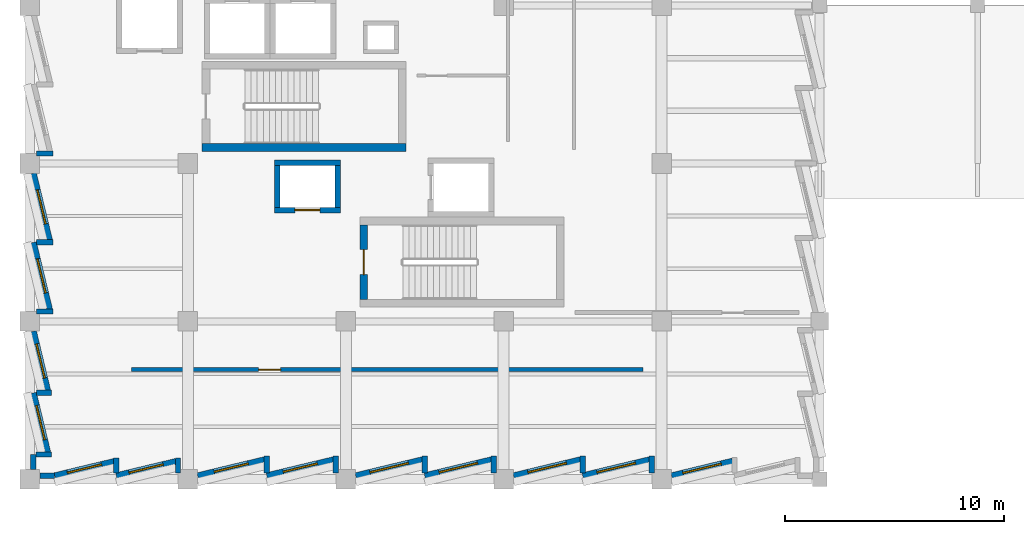
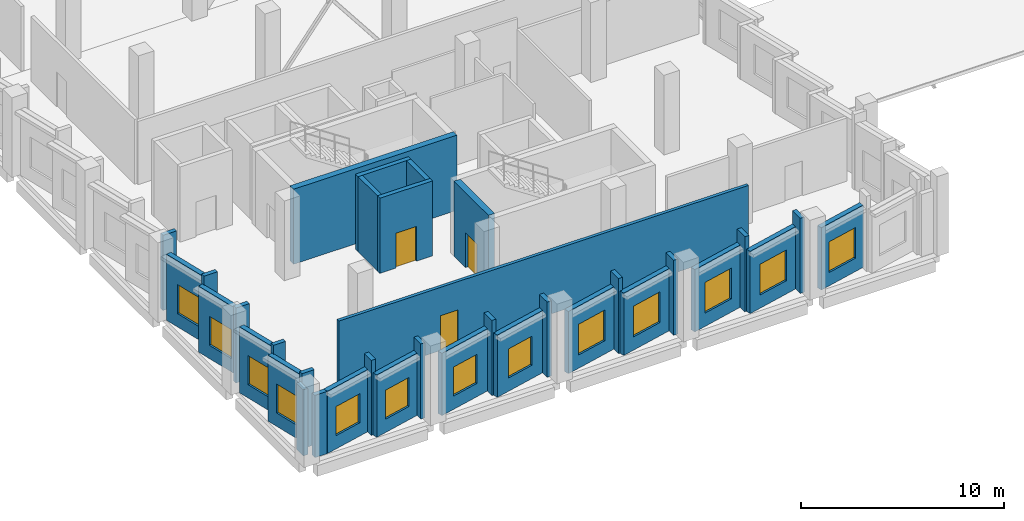
# One storey, part 91 of 127: 35 walls, 13 windows, 3 doors, 16 openings.
"""IFC4 building model written with IfcOpenShell, lengths in metres."""

from ifc_helpers import new_model, si_unit, direction, frame, frame_2d, origin, place, context, subcontext, project, spatial, rectangle, extrude, material, layer, layer_set, type_object, element, fill, save


model = new_model("IFC4")

# Units and contexts
model_context = context("Model", 3, precision=1e-05, world=origin(), true_north=direction((0.0, 1.0)))
body_context = subcontext(model_context, "Body", "Model", "MODEL_VIEW")
ifc_project = project(units=[si_unit("LENGTHUNIT", "METRE"), si_unit("AREAUNIT", "SQUARE_METRE"), si_unit("VOLUMEUNIT", "CUBIC_METRE"), si_unit("PLANEANGLEUNIT", "RADIAN"), si_unit("MASSUNIT", "GRAM", prefix="KILO")], contexts=[model_context])

# Site, building, storey
site_placement = place(None, origin())
site = spatial("IfcSite", under=ifc_project, at=site_placement, CompositionType="ELEMENT")
building_placement = place(site_placement, origin())
building = spatial("IfcBuilding", under=site, at=building_placement, Name="Kalmorath City Hall", CompositionType="ELEMENT")
storey_placement = place(building_placement, frame((0.0, 0.0, 5.39990234375)))
storey = spatial("IfcBuildingStorey", under=building, at=storey_placement, Name="L01", CompositionType="ELEMENT", Elevation=5.39990234375)

# Wall
ifc_material_1 = material(Name="Concrete C50/60", Category="concrete")
ifc_layer_1 = layer(ifc_material_1, 0.35009765625)
ifc_layer_set_1 = layer_set([ifc_layer_1], Name="Concrete C50/60")
wall_type_1 = type_object("IfcWallType", Name="Concrete core shear wall 350", PredefinedType="SHEAR", material=ifc_layer_set_1)
wall_1_placement = place(storey_placement, frame((7.85009765625, 15.125, 0.0), z_axis=(0.0, 0.0, 1.0), x_axis=(1.0, 0.0, 0.0)))
element("IfcWall", 1, at=wall_1_placement, inside=storey, type_object=wall_type_1, Name="L01 C1 stair core shear wall S", PredefinedType="SHEAR", context=body_context, shape_type="SweptSolid", body=[
    extrude(rectangle(XDim=9.2998046875, YDim=0.35009765625, at=frame_2d((4.64990234375, 0.0))), origin(), (0.0, 0.0, 1.0), 4.52001953125),
])

# Wall, opening, door
wall_2_placement = place(storey_placement, frame((15.22509765625, 11.60009765625, 0.0), z_axis=(0.0, 0.0, 1.0), x_axis=(0.0, -1.0, 0.0)))
wall_2 = element("IfcWall", 2, at=wall_2_placement, inside=storey, type_object=wall_type_1, Name="L01 C2 stair core shear wall W", PredefinedType="SHEAR", context=body_context, shape_type="SweptSolid", body=[
    extrude(rectangle(XDim=3.400146484375, YDim=0.35009765625, at=frame_2d((1.7001953125, 0.0))), origin(), (0.0, 0.0, 1.0), 4.52001953125),
])
opening_1_placement = place(wall_2_placement, frame((1.125, 0.0, 0.0)))
opening_1 = element("IfcOpeningElement", 3, at=opening_1_placement, cuts=wall_2, Name="Opening D-L01-039", PredefinedType="OPENING", context=body_context, shape_type="SweptSolid", body=[
    extrude(rectangle(XDim=1.14990234375, YDim=2.10009765625, at=frame_2d((0.574951171875, 1.050048828125))), frame((0.0, 0.18505859375, 0.0), z_axis=(0.0, -1.0, 0.0), x_axis=(1.0, 0.0, 0.0)), (0.0, 0.0, 1.0), 0.3701171875),
])
ifc_material_2 = material(Name="Galvanised steel fire door", Category="steel")
door_type_1 = type_object("IfcDoorType", Name="Stair enclosure 90-min fire door 1150x2100", OperationType="NOTDEFINED", PredefinedType="DOOR", material=ifc_material_2)
door_1_placement = place(opening_1_placement, frame((1.14990234375, 0.0, 0.0), z_axis=(0.0, 0.0, 1.0), x_axis=(-1.0, 0.0, 0.0)))
door_1 = element("IfcDoor", 4, at=door_1_placement, inside=storey, type_object=door_type_1, Name="L01 door D-L01-039", OperationType="SINGLE_SWING_LEFT", OverallHeight=2.10009765625, OverallWidth=1.14990234375, PredefinedType="DOOR", context=body_context, shape_type="SweptSolid", body=[
    extrude(rectangle(XDim=1.14990234375, YDim=2.10009765625, at=frame_2d((0.574951171875, 1.050048828125))), frame((0.0, 0.02490234375, 0.0), z_axis=(0.0, -1.0, 0.0), x_axis=(1.0, 0.0, 0.0)), (0.0, 0.0, 1.0), 0.050048828125),
])
fill(opening_1, door_1)

ifc_material_3 = material(Name="Concrete C50/60", Category="concrete")
ifc_layer_2 = layer(ifc_material_3, 0.25)
ifc_layer_set_2 = layer_set([ifc_layer_2], Name="Concrete C50/60")
wall_type_2 = type_object("IfcWallType", Name="Concrete lift shaft wall 250", PredefinedType="SHEAR", material=ifc_layer_set_2)
wall_3_placement = place(storey_placement, frame((11.14990234375, 12.27490234375, 0.0), z_axis=(0.0, 0.0, 1.0), x_axis=(1.0, 0.0, 0.0)))
wall_3 = element("IfcWall", 5, at=wall_3_placement, inside=storey, type_object=wall_type_2, Name="L01 FL2 lift shaft wall -y", PredefinedType="SHEAR", context=body_context, shape_type="SweptSolid", body=[
    extrude(rectangle(XDim=3.0, YDim=0.25, at=frame_2d((1.5, 0.0))), origin(), (0.0, 0.0, 1.0), 4.52001953125),
])
opening_2_placement = place(wall_3_placement, frame((0.925048828125, 0.0, 0.0)))
opening_2 = element("IfcOpeningElement", 6, at=opening_2_placement, cuts=wall_3, Name="Opening LD-048", PredefinedType="OPENING", context=body_context, shape_type="SweptSolid", body=[
    extrude(rectangle(XDim=1.14990234375, YDim=2.10009765625, at=frame_2d((0.574951171875, 1.050048828125))), frame((0.0, 0.135009765625, 0.0), z_axis=(0.0, -1.0, 0.0), x_axis=(1.0, 0.0, 0.0)), (0.0, 0.0, 1.0), 0.27001953125),
])
ifc_material_4 = material(Name="Stainless steel sliding landing door", Category="steel")
door_type_2 = type_object("IfcDoorType", Name="Firefighting lift sliding landing door 1150x2100", OperationType="SLIDING_TO_RIGHT", PredefinedType="DOOR", material=ifc_material_4)
door_2_placement = place(opening_2_placement, origin())
door_2 = element("IfcDoor", 7, at=door_2_placement, inside=storey, type_object=door_type_2, Name="L01 door LD-048", OperationType="SLIDING_TO_RIGHT", OverallHeight=2.10009765625, OverallWidth=1.14990234375, PredefinedType="DOOR", context=body_context, shape_type="SweptSolid", body=[
    extrude(rectangle(XDim=1.14990234375, YDim=2.10009765625, at=frame_2d((0.574951171875, 1.050048828125))), frame((0.0, 0.02490234375, 0.0), z_axis=(0.0, -1.0, 0.0), x_axis=(1.0, 0.0, 0.0)), (0.0, 0.0, 1.0), 0.050048828125),
])
fill(opening_2, door_2)

# Walls
wall_4_placement = place(storey_placement, frame((14.14990234375, 14.425048828125, 0.0), z_axis=(0.0, 0.0, 1.0), x_axis=(-1.0, 0.0, 0.0)))
element("IfcWall", 8, at=wall_4_placement, inside=storey, type_object=wall_type_2, Name="L01 FL2 lift shaft wall +y", PredefinedType="SHEAR", context=body_context, shape_type="SweptSolid", body=[
    extrude(rectangle(XDim=3.0, YDim=0.25, at=frame_2d((1.5, 0.0))), origin(), (0.0, 0.0, 1.0), 4.52001953125),
])
for number, where, z_axis, x_axis, name in (
    (9, (11.27490234375, 14.300048828125, 0.0), (0.0, 0.0, 1.0), (0.0, -1.0, 0.0), "L01 FL2 lift shaft wall -x"),
    (10, (14.02490234375, 12.39990234375, 0.0), (0.0, 0.0, 1.0), (0.0, 1.0, 0.0), "L01 FL2 lift shaft wall +x"),
):
    element("IfcWall", number, at=place(storey_placement, frame(where, z_axis=z_axis, x_axis=x_axis)), inside=storey, type_object=wall_type_2, Name=name, PredefinedType="SHEAR", context=body_context, shape_type="SweptSolid", body=[
        extrude(rectangle(XDim=1.900146484375, YDim=0.25, at=frame_2d((0.9501953125, 0.0))), origin(), (0.0, 0.0, 1.0), 4.52001953125),
    ])

# Wall, opening, door
ifc_material_5 = material(Name="Fire-rated acoustic gypsum partition")
ifc_layer_3 = layer(ifc_material_5, 0.179931640625)
ifc_layer_set_3 = layer_set([ifc_layer_3], Name="Fire-rated acoustic gypsum partition")
wall_type_3 = type_object("IfcWallType", Name="One-hour corridor fire partition 180", PredefinedType="PARTITIONING", material=ifc_layer_set_3)
wall_5_placement = place(storey_placement, frame((4.639892578125, 5.0, 0.0), z_axis=(0.0, 0.0, 1.0), x_axis=(1.0, 0.0, 0.0)))
wall_5 = element("IfcWall", 11, at=wall_5_placement, inside=storey, type_object=wall_type_3, Name="L01 interior partition PW2 #75", PredefinedType="PARTITIONING", context=body_context, shape_type="SweptSolid", body=[
    extrude(rectangle(XDim=23.320068359375, YDim=0.179931640625, at=frame_2d((11.66015625, 0.0))), origin(), (0.0, 0.0, 1.0), 3.801025390625),
])
opening_3_placement = place(wall_5_placement, frame((5.7900390625, 0.0, 0.0)))
opening_3 = element("IfcOpeningElement", 12, at=opening_3_placement, cuts=wall_5, Name="Opening D-L01-169", PredefinedType="OPENING", context=body_context, shape_type="SweptSolid", body=[
    extrude(rectangle(XDim=1.0, YDim=2.10009765625, at=frame_2d((0.5, 1.050048828125))), frame((0.0, 0.099853515625, 0.0), z_axis=(0.0, -1.0, 0.0), x_axis=(1.0, 0.0, 0.0)), (0.0, 0.0, 1.0), 0.199951171875),
])
ifc_material_6 = material(Name="Hardwood fire door", Category="wood")
door_type_3 = type_object("IfcDoorType", Name="Corridor 60-min fire door 1000x2100", OperationType="NOTDEFINED", PredefinedType="DOOR", material=ifc_material_6)
door_3_placement = place(opening_3_placement, origin())
door_3 = element("IfcDoor", 13, at=door_3_placement, inside=storey, type_object=door_type_3, Name="L01 door D-L01-169", OperationType="SINGLE_SWING_LEFT", OverallHeight=2.10009765625, OverallWidth=1.0, PredefinedType="DOOR", context=body_context, shape_type="SweptSolid", body=[
    extrude(rectangle(XDim=1.0, YDim=2.10009765625, at=frame_2d((0.5, 1.050048828125))), frame((0.0, 0.02490234375, 0.0), z_axis=(0.0, -1.0, 0.0), x_axis=(1.0, 0.0, 0.0)), (0.0, 0.0, 1.0), 0.050048828125),
])
fill(opening_3, door_3)

# Walls
ifc_material_7 = material(Name="Precast concrete C40/50", Category="concrete")
ifc_layer_4 = layer(ifc_material_7, 0.239990234375)
ifc_layer_set_4 = layer_set([ifc_layer_4], Name="Precast concrete C40/50")
wall_type_4 = type_object("IfcWallType", Name="Precast sawtooth cheek wall 240", PredefinedType="SOLIDWALL", material=ifc_layer_set_4)
wall_6_placement = place(storey_placement, frame((0.9794921875, 1.131103515625, 0.0), z_axis=(0.0, 0.0, 1.0), x_axis=(-1.0, 0.0, 0.0)))
element("IfcWall", 14, at=wall_6_placement, inside=storey, type_object=wall_type_4, Name="L01 sawtooth return cheek #165", PredefinedType="SOLIDWALL", context=body_context, shape_type="SweptSolid", body=[
    extrude(rectangle(XDim=0.697509765625, YDim=0.239990234375, at=frame_2d((0.3486328125, 0.0))), origin(), (0.0, 0.0, 1.0), 4.52001953125),
])
wall_7_placement = place(storey_placement, frame((0.9794921875, 3.93994140625, 0.0), z_axis=(0.0, 0.0, 1.0), x_axis=(-1.0, 0.0, 0.0)))
element("IfcWall", 15, at=wall_7_placement, inside=storey, type_object=wall_type_4, Name="L01 sawtooth return cheek #167", PredefinedType="SOLIDWALL", context=body_context, shape_type="SweptSolid", body=[
    extrude(rectangle(XDim=0.6875, YDim=0.239990234375, at=frame_2d((0.34375, 0.0))), origin(), (0.0, 0.0, 1.0), 4.52001953125),
])
for number, where, z_axis, x_axis, name in (
    (16, (1.06103515625, 7.65087890625, 0.0), (0.0, 0.0, 1.0), (-1.0, 0.0, 0.0), "L01 sawtooth return cheek #169"),
    (17, (1.06103515625, 10.800048828125, 0.0), (0.0, 0.0, 1.0), (-1.0, 0.0, 0.0), "L01 sawtooth return cheek #171"),
    (18, (1.06103515625, 14.85107421875, 0.0), (0.0, 0.0, 1.0), (-1.0, 0.0, 0.0), "L01 sawtooth return cheek #173"),
    (19, (28.34912109375, 1.06103515625, 0.0), (0.0, 0.0, 1.0), (0.0, -1.0, 0.0), "L01 sawtooth return cheek #305"),
    (20, (25.199951171875, 1.06103515625, 0.0), (0.0, 0.0, 1.0), (0.0, -1.0, 0.0), "L01 sawtooth return cheek #307"),
    (21, (21.14892578125, 1.06103515625, 0.0), (0.0, 0.0, 1.0), (0.0, -1.0, 0.0), "L01 sawtooth return cheek #309"),
    (22, (18.0, 1.06103515625, 0.0), (0.0, 0.0, 1.0), (0.0, -1.0, 0.0), "L01 sawtooth return cheek #311"),
    (23, (13.948974609375, 1.06103515625, 0.0), (0.0, 0.0, 1.0), (0.0, -1.0, 0.0), "L01 sawtooth return cheek #313"),
    (24, (10.800048828125, 1.06103515625, 0.0), (0.0, 0.0, 1.0), (0.0, -1.0, 0.0), "L01 sawtooth return cheek #315"),
):
    element("IfcWall", number, at=place(storey_placement, frame(where, z_axis=z_axis, x_axis=x_axis)), inside=storey, type_object=wall_type_4, Name=name, PredefinedType="SOLIDWALL", context=body_context, shape_type="SweptSolid", body=[
        extrude(rectangle(XDim=0.76904296875, YDim=0.239990234375, at=frame_2d((0.384521484375, 0.0))), origin(), (0.0, 0.0, 1.0), 4.52001953125),
    ])
for number, where, z_axis, x_axis, name in (
    (25, (6.7490234375, 0.9794921875, 0.0), (0.0, 0.0, 1.0), (0.0, -1.0, 0.0), "L01 sawtooth return cheek #318"),
    (26, (3.93994140625, 0.9794921875, 0.0), (0.0, 0.0, 1.0), (0.0, -1.0, 0.0), "L01 sawtooth return cheek #320"),
):
    element("IfcWall", number, at=place(storey_placement, frame(where, z_axis=z_axis, x_axis=x_axis)), inside=storey, type_object=wall_type_4, Name=name, PredefinedType="SOLIDWALL", context=body_context, shape_type="SweptSolid", body=[
        extrude(rectangle(XDim=0.6875, YDim=0.239990234375, at=frame_2d((0.34375, 0.0))), origin(), (0.0, 0.0, 1.0), 4.52001953125),
    ])

# Wall, opening, window
ifc_material_8 = material(Name="Precast concrete C40/50", Category="concrete")
ifc_layer_5 = layer(ifc_material_8, 0.280029296875)
ifc_layer_set_5 = layer_set([ifc_layer_5], Name="Precast concrete C40/50")
wall_type_5 = type_object("IfcWallType", Name="Precast sawtooth facade wall 280", PredefinedType="SOLIDWALL", material=ifc_layer_set_5)
wall_8_placement = place(storey_placement, frame((0.812255859375, 1.223388671875, 0.0), z_axis=(0.0, 0.0, 1.0), x_axis=(-0.233498544812, 0.972357151242, 0.0)))
wall_8 = element("IfcWall", 27, at=wall_8_placement, inside=storey, type_object=wall_type_5, Name="L01 sawtooth precast frame #164", PredefinedType="SOLIDWALL", context=body_context, shape_type="SweptSolid", body=[
    extrude(rectangle(XDim=2.793701171875, YDim=0.280029296875, at=frame_2d((1.39697265625, 0.0))), origin(), (0.0, 0.0, 1.0), 3.97607421875),
])
opening_4_placement = place(wall_8_placement, frame((0.596923828125, 0.0, 0.800048828125)))
opening_4 = element("IfcOpeningElement", 28, at=opening_4_placement, cuts=wall_8, Name="Opening WN3", PredefinedType="OPENING", context=body_context, shape_type="SweptSolid", body=[
    extrude(rectangle(XDim=1.60009765625, YDim=1.75, at=frame_2d((0.800048828125, 0.875))), frame((0.0, 0.14990234375, 0.0), z_axis=(0.0, -1.0, 0.0), x_axis=(1.0, 0.0, 0.0)), (0.0, 0.0, 1.0), 0.300048828125),
])
ifc_material_9 = material(Name="Aluminium and laminated glass", Category="aluminium")
window_type_1 = type_object("IfcWindowType", Name="Sawtooth upper window 1600x1750", PartitioningType="SINGLE_PANEL", PredefinedType="WINDOW", material=ifc_material_9)
window_1_placement = place(opening_4_placement, origin())
window_1 = element("IfcWindow", 29, at=window_1_placement, inside=storey, type_object=window_type_1, Name="L01 window WN3-76", OverallHeight=1.75, OverallWidth=1.60009765625, PartitioningType="SINGLE_PANEL", PredefinedType="WINDOW", context=body_context, shape_type="SweptSolid", body=[
    extrude(rectangle(XDim=1.60009765625, YDim=1.75, at=frame_2d((0.800048828125, 0.875))), frame((0.0, 0.030029296875, 0.0), z_axis=(0.0, -1.0, 0.0), x_axis=(1.0, 0.0, 0.0)), (0.0, 0.0, 1.0), 0.06005859375),
])
fill(opening_4, window_1)

wall_9_placement = place(storey_placement, frame((0.812255859375, 4.032470703125, 0.0), z_axis=(0.0, 0.0, 1.0), x_axis=(-0.233498544812, 0.972357151242, 0.0)))
wall_9 = element("IfcWall", 30, at=wall_9_placement, inside=storey, type_object=wall_type_5, Name="L01 sawtooth precast frame #166", PredefinedType="SOLIDWALL", context=body_context, shape_type="SweptSolid", body=[
    extrude(rectangle(XDim=2.793701171875, YDim=0.280029296875, at=frame_2d((1.39697265625, 0.0))), origin(), (0.0, 0.0, 1.0), 3.97607421875),
])
opening_5_placement = place(wall_9_placement, frame((0.596923828125, 0.0, 0.800048828125)))
opening_5 = element("IfcOpeningElement", 31, at=opening_5_placement, cuts=wall_9, Name="Opening WN3", PredefinedType="OPENING", context=body_context, shape_type="SweptSolid", body=[
    extrude(rectangle(XDim=1.60009765625, YDim=1.75, at=frame_2d((0.800048828125, 0.875))), frame((0.0, 0.14990234375, 0.0), z_axis=(0.0, -1.0, 0.0), x_axis=(1.0, 0.0, 0.0)), (0.0, 0.0, 1.0), 0.300048828125),
])
window_2_placement = place(opening_5_placement, origin())
window_2 = element("IfcWindow", 32, at=window_2_placement, inside=storey, type_object=window_type_1, Name="L01 window WN3-77", OverallHeight=1.75, OverallWidth=1.60009765625, PartitioningType="SINGLE_PANEL", PredefinedType="WINDOW", context=body_context, shape_type="SweptSolid", body=[
    extrude(rectangle(XDim=1.60009765625, YDim=1.75, at=frame_2d((0.800048828125, 0.875))), frame((0.0, 0.030029296875, 0.0), z_axis=(0.0, -1.0, 0.0), x_axis=(1.0, 0.0, 0.0)), (0.0, 0.0, 1.0), 0.06005859375),
])
fill(opening_5, window_2)

wall_10_placement = place(storey_placement, frame((0.893798828125, 7.743408203125, 0.0), z_axis=(0.0, 0.0, 1.0), x_axis=(-0.233461073712, 0.972366148661, 0.0)))
wall_10 = element("IfcWall", 33, at=wall_10_placement, inside=storey, type_object=wall_type_5, Name="L01 sawtooth precast frame #168", PredefinedType="SOLIDWALL", context=body_context, shape_type="SweptSolid", body=[
    extrude(rectangle(XDim=3.1435546875, YDim=0.280029296875, at=frame_2d((1.57177734375, 0.0))), origin(), (0.0, 0.0, 1.0), 3.97607421875),
])
opening_6_placement = place(wall_10_placement, frame((0.771728515625, 0.0, 0.800048828125)))
opening_6 = element("IfcOpeningElement", 34, at=opening_6_placement, cuts=wall_10, Name="Opening WN3", PredefinedType="OPENING", context=body_context, shape_type="SweptSolid", body=[
    extrude(rectangle(XDim=1.60009765625, YDim=1.75, at=frame_2d((0.800048828125, 0.875))), frame((0.0, 0.14990234375, 0.0), z_axis=(0.0, -1.0, 0.0), x_axis=(1.0, 0.0, 0.0)), (0.0, 0.0, 1.0), 0.300048828125),
])
window_3_placement = place(opening_6_placement, origin())
window_3 = element("IfcWindow", 35, at=window_3_placement, inside=storey, type_object=window_type_1, Name="L01 window WN3-78", OverallHeight=1.75, OverallWidth=1.60009765625, PartitioningType="SINGLE_PANEL", PredefinedType="WINDOW", context=body_context, shape_type="SweptSolid", body=[
    extrude(rectangle(XDim=1.60009765625, YDim=1.75, at=frame_2d((0.800048828125, 0.875))), frame((0.0, 0.030029296875, 0.0), z_axis=(0.0, -1.0, 0.0), x_axis=(1.0, 0.0, 0.0)), (0.0, 0.0, 1.0), 0.06005859375),
])
fill(opening_6, window_3)

wall_11_placement = place(storey_placement, frame((0.893798828125, 10.892333984375, 0.0), z_axis=(0.0, 0.0, 1.0), x_axis=(-0.233461073712, 0.972366148661, 0.0)))
wall_11 = element("IfcWall", 36, at=wall_11_placement, inside=storey, type_object=wall_type_5, Name="L01 sawtooth precast frame #170", PredefinedType="SOLIDWALL", context=body_context, shape_type="SweptSolid", body=[
    extrude(rectangle(XDim=3.1435546875, YDim=0.280029296875, at=frame_2d((1.57177734375, 0.0))), origin(), (0.0, 0.0, 1.0), 3.97607421875),
])
opening_7_placement = place(wall_11_placement, frame((0.771728515625, 0.0, 0.800048828125)))
opening_7 = element("IfcOpeningElement", 37, at=opening_7_placement, cuts=wall_11, Name="Opening WN3", PredefinedType="OPENING", context=body_context, shape_type="SweptSolid", body=[
    extrude(rectangle(XDim=1.60009765625, YDim=1.75, at=frame_2d((0.800048828125, 0.875))), frame((0.0, 0.14990234375, 0.0), z_axis=(0.0, -1.0, 0.0), x_axis=(1.0, 0.0, 0.0)), (0.0, 0.0, 1.0), 0.300048828125),
])
window_4_placement = place(opening_7_placement, origin())
window_4 = element("IfcWindow", 38, at=window_4_placement, inside=storey, type_object=window_type_1, Name="L01 window WN3-79", OverallHeight=1.75, OverallWidth=1.60009765625, PartitioningType="SINGLE_PANEL", PredefinedType="WINDOW", context=body_context, shape_type="SweptSolid", body=[
    extrude(rectangle(XDim=1.60009765625, YDim=1.75, at=frame_2d((0.800048828125, 0.875))), frame((0.0, 0.030029296875, 0.0), z_axis=(0.0, -1.0, 0.0), x_axis=(1.0, 0.0, 0.0)), (0.0, 0.0, 1.0), 0.06005859375),
])
fill(opening_7, window_4)

wall_12_placement = place(storey_placement, frame((32.030029296875, 0.8271484375, 0.0), z_axis=(0.0, 0.0, 1.0), x_axis=(-0.972366362403, -0.233460183471, 0.0)))
wall_12 = element("IfcWall", 39, at=wall_12_placement, inside=storey, type_object=wall_type_5, Name="L01 sawtooth precast frame #302", PredefinedType="SOLIDWALL", context=body_context, shape_type="SweptSolid", body=[
    extrude(rectangle(XDim=2.85791015625, YDim=0.280029296875, at=frame_2d((1.428955078125, 0.0))), origin(), (0.0, 0.0, 1.0), 3.7509765625),
])
opening_8_placement = place(wall_12_placement, frame((0.529052734375, 0.0, 0.800048828125)))
opening_8 = element("IfcOpeningElement", 40, at=opening_8_placement, cuts=wall_12, Name="Opening WN4", PredefinedType="OPENING", context=body_context, shape_type="SweptSolid", body=[
    extrude(rectangle(XDim=1.800048828125, YDim=1.85009765625, at=frame_2d((0.89990234375, 0.925048828125))), frame((0.0, 0.14990234375, 0.0), z_axis=(0.0, -1.0, 0.0), x_axis=(1.0, 0.0, 0.0)), (0.0, 0.0, 1.0), 0.300048828125),
])
ifc_material_10 = material(Name="Aluminium and laminated glass", Category="aluminium")
window_type_2 = type_object("IfcWindowType", Name="Sawtooth executive window 1800x1850", PartitioningType="SINGLE_PANEL", PredefinedType="WINDOW", material=ifc_material_10)
window_5_placement = place(opening_8_placement, origin())
window_5 = element("IfcWindow", 41, at=window_5_placement, inside=storey, type_object=window_type_2, Name="L01 window WN4-144", OverallHeight=1.85009765625, OverallWidth=1.800048828125, PartitioningType="SINGLE_PANEL", PredefinedType="WINDOW", context=body_context, shape_type="SweptSolid", body=[
    extrude(rectangle(XDim=1.800048828125, YDim=1.85009765625, at=frame_2d((0.89990234375, 0.925048828125))), frame((0.0, 0.030029296875, 0.0), z_axis=(0.0, -1.0, 0.0), x_axis=(1.0, 0.0, 0.0)), (0.0, 0.0, 1.0), 0.06005859375),
])
fill(opening_8, window_5)

wall_13_placement = place(storey_placement, frame((28.256591796875, 0.893798828125, 0.0), z_axis=(0.0, 0.0, 1.0), x_axis=(-0.972366148661, -0.233461073712, 0.0)))
wall_13 = element("IfcWall", 42, at=wall_13_placement, inside=storey, type_object=wall_type_5, Name="L01 sawtooth precast frame #304", PredefinedType="SOLIDWALL", context=body_context, shape_type="SweptSolid", body=[
    extrude(rectangle(XDim=3.1435546875, YDim=0.280029296875, at=frame_2d((1.57177734375, 0.0))), origin(), (0.0, 0.0, 1.0), 3.7509765625),
])
opening_9_placement = place(wall_13_placement, frame((0.671630859375, 0.0, 0.800048828125)))
opening_9 = element("IfcOpeningElement", 43, at=opening_9_placement, cuts=wall_13, Name="Opening WN4", PredefinedType="OPENING", context=body_context, shape_type="SweptSolid", body=[
    extrude(rectangle(XDim=1.800048828125, YDim=1.85009765625, at=frame_2d((0.89990234375, 0.925048828125))), frame((0.0, 0.14990234375, 0.0), z_axis=(0.0, -1.0, 0.0), x_axis=(1.0, 0.0, 0.0)), (0.0, 0.0, 1.0), 0.300048828125),
])
window_6_placement = place(opening_9_placement, origin())
window_6 = element("IfcWindow", 44, at=window_6_placement, inside=storey, type_object=window_type_2, Name="L01 window WN4-145", OverallHeight=1.85009765625, OverallWidth=1.800048828125, PartitioningType="SINGLE_PANEL", PredefinedType="WINDOW", context=body_context, shape_type="SweptSolid", body=[
    extrude(rectangle(XDim=1.800048828125, YDim=1.85009765625, at=frame_2d((0.89990234375, 0.925048828125))), frame((0.0, 0.030029296875, 0.0), z_axis=(0.0, -1.0, 0.0), x_axis=(1.0, 0.0, 0.0)), (0.0, 0.0, 1.0), 0.06005859375),
])
fill(opening_9, window_6)

wall_14_placement = place(storey_placement, frame((25.107666015625, 0.893798828125, 0.0), z_axis=(0.0, 0.0, 1.0), x_axis=(-0.972366148661, -0.233461073712, 0.0)))
wall_14 = element("IfcWall", 45, at=wall_14_placement, inside=storey, type_object=wall_type_5, Name="L01 sawtooth precast frame #306", PredefinedType="SOLIDWALL", context=body_context, shape_type="SweptSolid", body=[
    extrude(rectangle(XDim=3.1435546875, YDim=0.280029296875, at=frame_2d((1.57177734375, 0.0))), origin(), (0.0, 0.0, 1.0), 3.7509765625),
])
opening_10_placement = place(wall_14_placement, frame((0.671630859375, 0.0, 0.800048828125)))
opening_10 = element("IfcOpeningElement", 46, at=opening_10_placement, cuts=wall_14, Name="Opening WN4", PredefinedType="OPENING", context=body_context, shape_type="SweptSolid", body=[
    extrude(rectangle(XDim=1.800048828125, YDim=1.85009765625, at=frame_2d((0.89990234375, 0.925048828125))), frame((0.0, 0.14990234375, 0.0), z_axis=(0.0, -1.0, 0.0), x_axis=(1.0, 0.0, 0.0)), (0.0, 0.0, 1.0), 0.300048828125),
])
window_7_placement = place(opening_10_placement, origin())
window_7 = element("IfcWindow", 47, at=window_7_placement, inside=storey, type_object=window_type_2, Name="L01 window WN4-146", OverallHeight=1.85009765625, OverallWidth=1.800048828125, PartitioningType="SINGLE_PANEL", PredefinedType="WINDOW", context=body_context, shape_type="SweptSolid", body=[
    extrude(rectangle(XDim=1.800048828125, YDim=1.85009765625, at=frame_2d((0.89990234375, 0.925048828125))), frame((0.0, 0.030029296875, 0.0), z_axis=(0.0, -1.0, 0.0), x_axis=(1.0, 0.0, 0.0)), (0.0, 0.0, 1.0), 0.06005859375),
])
fill(opening_10, window_7)

wall_15_placement = place(storey_placement, frame((21.056640625, 0.893798828125, 0.0), z_axis=(0.0, 0.0, 1.0), x_axis=(-0.972366148661, -0.233461073712, 0.0)))
wall_15 = element("IfcWall", 48, at=wall_15_placement, inside=storey, type_object=wall_type_5, Name="L01 sawtooth precast frame #308", PredefinedType="SOLIDWALL", context=body_context, shape_type="SweptSolid", body=[
    extrude(rectangle(XDim=3.1435546875, YDim=0.280029296875, at=frame_2d((1.57177734375, 0.0))), origin(), (0.0, 0.0, 1.0), 3.7509765625),
])
opening_11_placement = place(wall_15_placement, frame((0.671630859375, 0.0, 0.800048828125)))
opening_11 = element("IfcOpeningElement", 49, at=opening_11_placement, cuts=wall_15, Name="Opening WN4", PredefinedType="OPENING", context=body_context, shape_type="SweptSolid", body=[
    extrude(rectangle(XDim=1.800048828125, YDim=1.85009765625, at=frame_2d((0.89990234375, 0.925048828125))), frame((0.0, 0.14990234375, 0.0), z_axis=(0.0, -1.0, 0.0), x_axis=(1.0, 0.0, 0.0)), (0.0, 0.0, 1.0), 0.300048828125),
])
window_8_placement = place(opening_11_placement, origin())
window_8 = element("IfcWindow", 50, at=window_8_placement, inside=storey, type_object=window_type_2, Name="L01 window WN4-147", OverallHeight=1.85009765625, OverallWidth=1.800048828125, PartitioningType="SINGLE_PANEL", PredefinedType="WINDOW", context=body_context, shape_type="SweptSolid", body=[
    extrude(rectangle(XDim=1.800048828125, YDim=1.85009765625, at=frame_2d((0.89990234375, 0.925048828125))), frame((0.0, 0.030029296875, 0.0), z_axis=(0.0, -1.0, 0.0), x_axis=(1.0, 0.0, 0.0)), (0.0, 0.0, 1.0), 0.06005859375),
])
fill(opening_11, window_8)

wall_16_placement = place(storey_placement, frame((17.90771484375, 0.893798828125, 0.0), z_axis=(0.0, 0.0, 1.0), x_axis=(-0.972366148661, -0.233461073712, 0.0)))
wall_16 = element("IfcWall", 51, at=wall_16_placement, inside=storey, type_object=wall_type_5, Name="L01 sawtooth precast frame #310", PredefinedType="SOLIDWALL", context=body_context, shape_type="SweptSolid", body=[
    extrude(rectangle(XDim=3.1435546875, YDim=0.280029296875, at=frame_2d((1.57177734375, 0.0))), origin(), (0.0, 0.0, 1.0), 3.7509765625),
])
opening_12_placement = place(wall_16_placement, frame((0.671630859375, 0.0, 0.800048828125)))
opening_12 = element("IfcOpeningElement", 52, at=opening_12_placement, cuts=wall_16, Name="Opening WN4", PredefinedType="OPENING", context=body_context, shape_type="SweptSolid", body=[
    extrude(rectangle(XDim=1.800048828125, YDim=1.85009765625, at=frame_2d((0.89990234375, 0.925048828125))), frame((0.0, 0.14990234375, 0.0), z_axis=(0.0, -1.0, 0.0), x_axis=(1.0, 0.0, 0.0)), (0.0, 0.0, 1.0), 0.300048828125),
])
window_9_placement = place(opening_12_placement, origin())
window_9 = element("IfcWindow", 53, at=window_9_placement, inside=storey, type_object=window_type_2, Name="L01 window WN4-148", OverallHeight=1.85009765625, OverallWidth=1.800048828125, PartitioningType="SINGLE_PANEL", PredefinedType="WINDOW", context=body_context, shape_type="SweptSolid", body=[
    extrude(rectangle(XDim=1.800048828125, YDim=1.85009765625, at=frame_2d((0.89990234375, 0.925048828125))), frame((0.0, 0.030029296875, 0.0), z_axis=(0.0, -1.0, 0.0), x_axis=(1.0, 0.0, 0.0)), (0.0, 0.0, 1.0), 0.06005859375),
])
fill(opening_12, window_9)

wall_17_placement = place(storey_placement, frame((13.856689453125, 0.893798828125, 0.0), z_axis=(0.0, 0.0, 1.0), x_axis=(-0.972366148661, -0.233461073712, 0.0)))
wall_17 = element("IfcWall", 54, at=wall_17_placement, inside=storey, type_object=wall_type_5, Name="L01 sawtooth precast frame #312", PredefinedType="SOLIDWALL", context=body_context, shape_type="SweptSolid", body=[
    extrude(rectangle(XDim=3.1435546875, YDim=0.280029296875, at=frame_2d((1.57177734375, 0.0))), origin(), (0.0, 0.0, 1.0), 3.7509765625),
])
opening_13_placement = place(wall_17_placement, frame((0.771728515625, 0.0, 0.800048828125)))
opening_13 = element("IfcOpeningElement", 55, at=opening_13_placement, cuts=wall_17, Name="Opening WN3", PredefinedType="OPENING", context=body_context, shape_type="SweptSolid", body=[
    extrude(rectangle(XDim=1.60009765625, YDim=1.75, at=frame_2d((0.800048828125, 0.875))), frame((0.0, 0.14990234375, 0.0), z_axis=(0.0, -1.0, 0.0), x_axis=(1.0, 0.0, 0.0)), (0.0, 0.0, 1.0), 0.300048828125),
])
window_10_placement = place(opening_13_placement, origin())
window_10 = element("IfcWindow", 56, at=window_10_placement, inside=storey, type_object=window_type_1, Name="L01 window WN3-149", OverallHeight=1.75, OverallWidth=1.60009765625, PartitioningType="SINGLE_PANEL", PredefinedType="WINDOW", context=body_context, shape_type="SweptSolid", body=[
    extrude(rectangle(XDim=1.60009765625, YDim=1.75, at=frame_2d((0.800048828125, 0.875))), frame((0.0, 0.030029296875, 0.0), z_axis=(0.0, -1.0, 0.0), x_axis=(1.0, 0.0, 0.0)), (0.0, 0.0, 1.0), 0.06005859375),
])
fill(opening_13, window_10)

wall_18_placement = place(storey_placement, frame((10.70751953125, 0.893798828125, 0.0), z_axis=(0.0, 0.0, 1.0), x_axis=(-0.972366148661, -0.233461073712, 0.0)))
wall_18 = element("IfcWall", 57, at=wall_18_placement, inside=storey, type_object=wall_type_5, Name="L01 sawtooth precast frame #314", PredefinedType="SOLIDWALL", context=body_context, shape_type="SweptSolid", body=[
    extrude(rectangle(XDim=3.1435546875, YDim=0.280029296875, at=frame_2d((1.57177734375, 0.0))), origin(), (0.0, 0.0, 1.0), 3.7509765625),
])
opening_14_placement = place(wall_18_placement, frame((0.771728515625, 0.0, 0.800048828125)))
opening_14 = element("IfcOpeningElement", 58, at=opening_14_placement, cuts=wall_18, Name="Opening WN3", PredefinedType="OPENING", context=body_context, shape_type="SweptSolid", body=[
    extrude(rectangle(XDim=1.60009765625, YDim=1.75, at=frame_2d((0.800048828125, 0.875))), frame((0.0, 0.14990234375, 0.0), z_axis=(0.0, -1.0, 0.0), x_axis=(1.0, 0.0, 0.0)), (0.0, 0.0, 1.0), 0.300048828125),
])
window_11_placement = place(opening_14_placement, origin())
window_11 = element("IfcWindow", 59, at=window_11_placement, inside=storey, type_object=window_type_1, Name="L01 window WN3-150", OverallHeight=1.75, OverallWidth=1.60009765625, PartitioningType="SINGLE_PANEL", PredefinedType="WINDOW", context=body_context, shape_type="SweptSolid", body=[
    extrude(rectangle(XDim=1.60009765625, YDim=1.75, at=frame_2d((0.800048828125, 0.875))), frame((0.0, 0.030029296875, 0.0), z_axis=(0.0, -1.0, 0.0), x_axis=(1.0, 0.0, 0.0)), (0.0, 0.0, 1.0), 0.06005859375),
])
fill(opening_14, window_11)

wall_19_placement = place(storey_placement, frame((6.656494140625, 0.812255859375, 0.0), z_axis=(0.0, 0.0, 1.0), x_axis=(-0.972357151242, -0.233498544812, 0.0)))
wall_19 = element("IfcWall", 60, at=wall_19_placement, inside=storey, type_object=wall_type_5, Name="L01 sawtooth precast frame #317", PredefinedType="SOLIDWALL", context=body_context, shape_type="SweptSolid", body=[
    extrude(rectangle(XDim=2.793701171875, YDim=0.280029296875, at=frame_2d((1.39697265625, 0.0))), origin(), (0.0, 0.0, 1.0), 3.7509765625),
])
opening_15_placement = place(wall_19_placement, frame((0.596923828125, 0.0, 0.800048828125)))
opening_15 = element("IfcOpeningElement", 61, at=opening_15_placement, cuts=wall_19, Name="Opening WN3", PredefinedType="OPENING", context=body_context, shape_type="SweptSolid", body=[
    extrude(rectangle(XDim=1.60009765625, YDim=1.75, at=frame_2d((0.800048828125, 0.875))), frame((0.0, 0.14990234375, 0.0), z_axis=(0.0, -1.0, 0.0), x_axis=(1.0, 0.0, 0.0)), (0.0, 0.0, 1.0), 0.300048828125),
])
window_12_placement = place(opening_15_placement, origin())
window_12 = element("IfcWindow", 62, at=window_12_placement, inside=storey, type_object=window_type_1, Name="L01 window WN3-151", OverallHeight=1.75, OverallWidth=1.60009765625, PartitioningType="SINGLE_PANEL", PredefinedType="WINDOW", context=body_context, shape_type="SweptSolid", body=[
    extrude(rectangle(XDim=1.60009765625, YDim=1.75, at=frame_2d((0.800048828125, 0.875))), frame((0.0, 0.030029296875, 0.0), z_axis=(0.0, -1.0, 0.0), x_axis=(1.0, 0.0, 0.0)), (0.0, 0.0, 1.0), 0.06005859375),
])
fill(opening_15, window_12)

wall_20_placement = place(storey_placement, frame((3.84765625, 0.812255859375, 0.0), z_axis=(0.0, 0.0, 1.0), x_axis=(-0.972357151242, -0.233498544812, 0.0)))
wall_20 = element("IfcWall", 63, at=wall_20_placement, inside=storey, type_object=wall_type_5, Name="L01 sawtooth precast frame #319", PredefinedType="SOLIDWALL", context=body_context, shape_type="SweptSolid", body=[
    extrude(rectangle(XDim=2.793701171875, YDim=0.280029296875, at=frame_2d((1.39697265625, 0.0))), origin(), (0.0, 0.0, 1.0), 3.7509765625),
])
opening_16_placement = place(wall_20_placement, frame((0.596923828125, 0.0, 0.800048828125)))
opening_16 = element("IfcOpeningElement", 64, at=opening_16_placement, cuts=wall_20, Name="Opening WN3", PredefinedType="OPENING", context=body_context, shape_type="SweptSolid", body=[
    extrude(rectangle(XDim=1.60009765625, YDim=1.75, at=frame_2d((0.800048828125, 0.875))), frame((0.0, 0.14990234375, 0.0), z_axis=(0.0, -1.0, 0.0), x_axis=(1.0, 0.0, 0.0)), (0.0, 0.0, 1.0), 0.300048828125),
])
window_13_placement = place(opening_16_placement, origin())
window_13 = element("IfcWindow", 65, at=window_13_placement, inside=storey, type_object=window_type_1, Name="L01 window WN3-152", OverallHeight=1.75, OverallWidth=1.60009765625, PartitioningType="SINGLE_PANEL", PredefinedType="WINDOW", context=body_context, shape_type="SweptSolid", body=[
    extrude(rectangle(XDim=1.60009765625, YDim=1.75, at=frame_2d((0.800048828125, 0.875))), frame((0.0, 0.030029296875, 0.0), z_axis=(0.0, -1.0, 0.0), x_axis=(1.0, 0.0, 0.0)), (0.0, 0.0, 1.0), 0.06005859375),
])
fill(opening_16, window_13)

# Walls
ifc_material_11 = material(Name="Precast concrete C40/50", Category="concrete")
ifc_layer_6 = layer(ifc_material_11, 0.260009765625)
ifc_layer_set_6 = layer_set([ifc_layer_6], Name="Precast concrete C40/50")
wall_type_6 = type_object("IfcWallType", Name="Precast sawtooth return wall 260", PredefinedType="SOLIDWALL", material=ifc_layer_set_6)
wall_21_placement = place(storey_placement, frame((0.159912109375, 0.450927734375, 0.0), z_axis=(0.0, 0.0, 1.0), x_axis=(0.0, 1.0, 0.0)))
element("IfcWall", 66, at=wall_21_placement, inside=storey, type_object=wall_type_6, Name="L01 corner pier wall #163", PredefinedType="SOLIDWALL", context=body_context, shape_type="SweptSolid", body=[
    extrude(rectangle(XDim=0.68017578125, YDim=0.260009765625, at=frame_2d((0.340087890625, 0.0))), origin(), (0.0, 0.0, 1.0), 3.97607421875),
])
wall_22_placement = place(storey_placement, frame((1.131103515625, 0.159912109375, 0.0), z_axis=(0.0, 0.0, 1.0), x_axis=(-1.0, 0.0, 0.0)))
element("IfcWall", 67, at=wall_22_placement, inside=storey, type_object=wall_type_6, Name="L01 corner pier wall #316", PredefinedType="SOLIDWALL", context=body_context, shape_type="SweptSolid", body=[
    extrude(rectangle(XDim=0.68017578125, YDim=0.260009765625, at=frame_2d((0.340087890625, 0.0))), origin(), (0.0, 0.0, 1.0), 3.7509765625),
])

save(model, "model.ifc")
